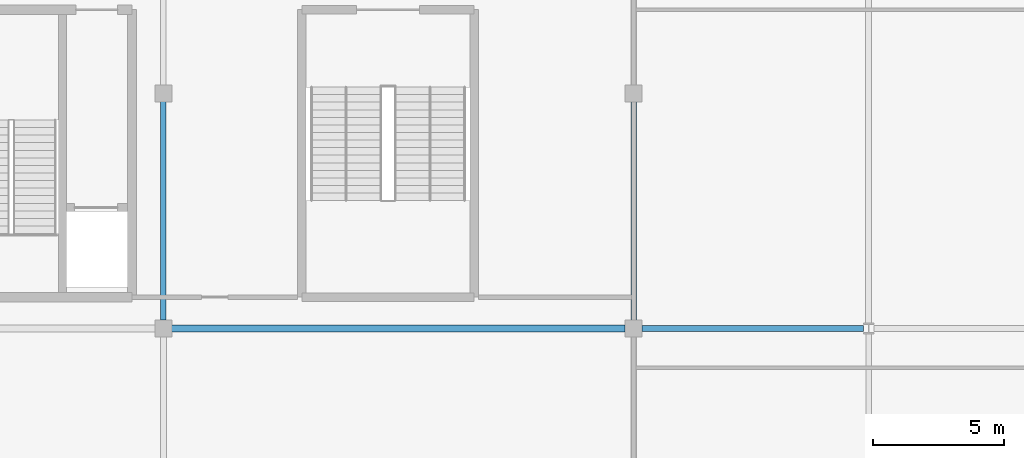
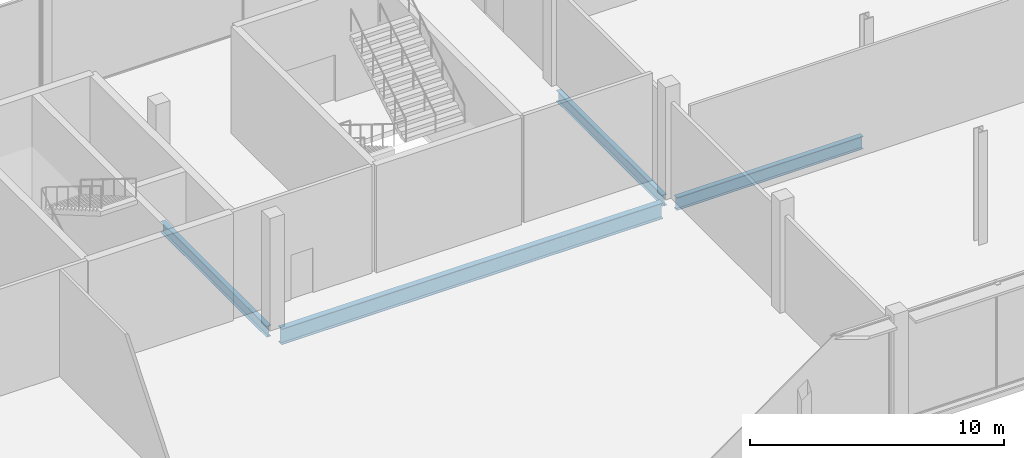
# One storey, part 42 of 111: 4 beams.
"""IFC4 building model written with IfcOpenShell, lengths in metres."""

from ifc_helpers import new_model, si_unit, direction, frame, origin, origin_2d, place, context, subcontext, project, spatial, i_section, extrude, material, material_profile, profile_set, type_object, element, save


model = new_model("IFC4")

# Units and contexts
model_context = context("Model", 3, precision=1e-05, world=origin(), true_north=direction((0.0, 1.0)))
body_context = subcontext(model_context, "Body", "Model", "MODEL_VIEW")
ifc_project = project(units=[si_unit("LENGTHUNIT", "METRE"), si_unit("AREAUNIT", "SQUARE_METRE"), si_unit("VOLUMEUNIT", "CUBIC_METRE"), si_unit("PLANEANGLEUNIT", "RADIAN"), si_unit("MASSUNIT", "GRAM", prefix="KILO")], contexts=[model_context])

# Site, building, storey
site_placement = place(None, origin())
site = spatial("IfcSite", under=ifc_project, at=site_placement, CompositionType="ELEMENT")
building_placement = place(site_placement, origin())
building = spatial("IfcBuilding", under=site, at=building_placement, Name="Kisiwana Market Hall", CompositionType="ELEMENT")
storey_placement = place(building_placement, frame((0.0, 0.0, 11.39990234375)))
storey = spatial("IfcBuildingStorey", under=building, at=storey_placement, Name="L02", CompositionType="ELEMENT", Elevation=11.39990234375)

# Beams
ifc_material_1 = material(Name="Steel S355", Category="steel")
ifc_material_profile_1 = material_profile(ifc_material_1, i_section(OverallWidth=0.209228515625, OverallDepth=0.533203125, WebThickness=0.010009765625, FlangeThickness=0.015625, at=origin_2d()), Name="UB 533x210x92")
ifc_profile_set_1 = profile_set([ifc_material_profile_1], Name="Steel S355")
beam_type_1 = type_object("IfcBeamType", Name="BM-GIRD-UB533", PredefinedType="BEAM", material=ifc_profile_set_1)
for number, where, z_axis, x_axis, name in (
    (1, (135.0, 18.321044921875, -0.516357421875), (0.0, 1.0, 0.0), (-1.0, 0.0, 0.0), "Primary girder B-0656"),
    (2, (153.0, 18.321044921875, -0.516357421875), (0.0, 1.0, 0.0), (-1.0, 0.0, 0.0), "Primary girder B-0663"),
):
    element("IfcBeam", number, at=place(storey_placement, frame(where, z_axis=z_axis, x_axis=x_axis)), inside=storey, type_object=beam_type_1, Name=name, PredefinedType="BEAM", context=body_context, shape_type="SweptSolid", body=[
        extrude(i_section(OverallWidth=0.209228515625, OverallDepth=0.533203125, WebThickness=0.010009765625, FlangeThickness=0.015625, at=origin_2d()), origin(), (0.0, 0.0, 1.0), 8.35791015625),
    ])
ifc_material_2 = material(Name="Steel S355", Category="steel")
ifc_material_profile_2 = material_profile(ifc_material_2, i_section(OverallWidth=0.22900390625, OverallDepth=0.6123046875, WebThickness=0.011962890625, FlangeThickness=0.01953125, at=origin_2d()), Name="UB 610x229x125")
ifc_profile_set_2 = profile_set([ifc_material_profile_2], Name="Steel S355")
beam_type_2 = type_object("IfcBeamType", Name="BM-GIRD-UB610H", PredefinedType="BEAM", material=ifc_profile_set_2)
beam_1_placement = place(storey_placement, frame((153.321044921875, 18.0, -0.555908203125), z_axis=(1.0, 0.0, 0.0), x_axis=(0.0, 1.0, 0.0)))
element("IfcBeam", 3, at=beam_1_placement, inside=storey, type_object=beam_type_2, Name="Floor beam B-0751", PredefinedType="BEAM", context=body_context, shape_type="SweptSolid", body=[
    extrude(i_section(OverallWidth=0.22900390625, OverallDepth=0.6123046875, WebThickness=0.011962890625, FlangeThickness=0.01953125, at=origin_2d()), origin(), (0.0, 0.0, 1.0), 8.47705078125),
])
ifc_material_3 = material(Name="Steel S355", Category="steel")
ifc_material_profile_3 = material_profile(ifc_material_3, i_section(OverallWidth=0.2666015625, OverallDepth=0.76220703125, WebThickness=0.014404296875, FlangeThickness=0.021484375, at=origin_2d()), Name="UB 762x267x173")
ifc_profile_set_3 = profile_set([ifc_material_profile_3], Name="Steel S355")
beam_type_3 = type_object("IfcBeamType", Name="BM-GIRD-UB762", PredefinedType="BEAM", material=ifc_profile_set_3)
beam_2_placement = place(storey_placement, frame((135.321044921875, 18.0, -0.631103515625), z_axis=(1.0, 0.0, 0.0), x_axis=(0.0, 1.0, 0.0)))
element("IfcBeam", 4, at=beam_2_placement, inside=storey, type_object=beam_type_3, Name="Floor beam B-0750", PredefinedType="BEAM", context=body_context, shape_type="SweptSolid", body=[
    extrude(i_section(OverallWidth=0.2666015625, OverallDepth=0.76220703125, WebThickness=0.014404296875, FlangeThickness=0.021484375, at=origin_2d()), origin(), (0.0, 0.0, 1.0), 17.35791015625),
])

save(model, "model.ifc")
